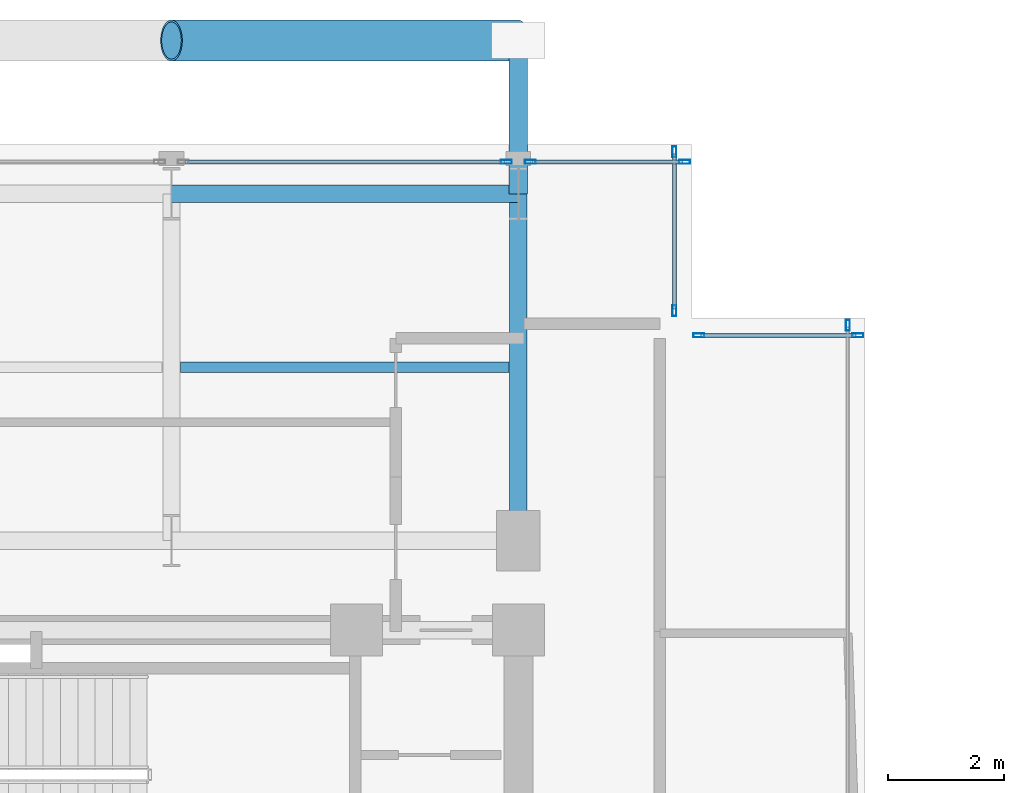
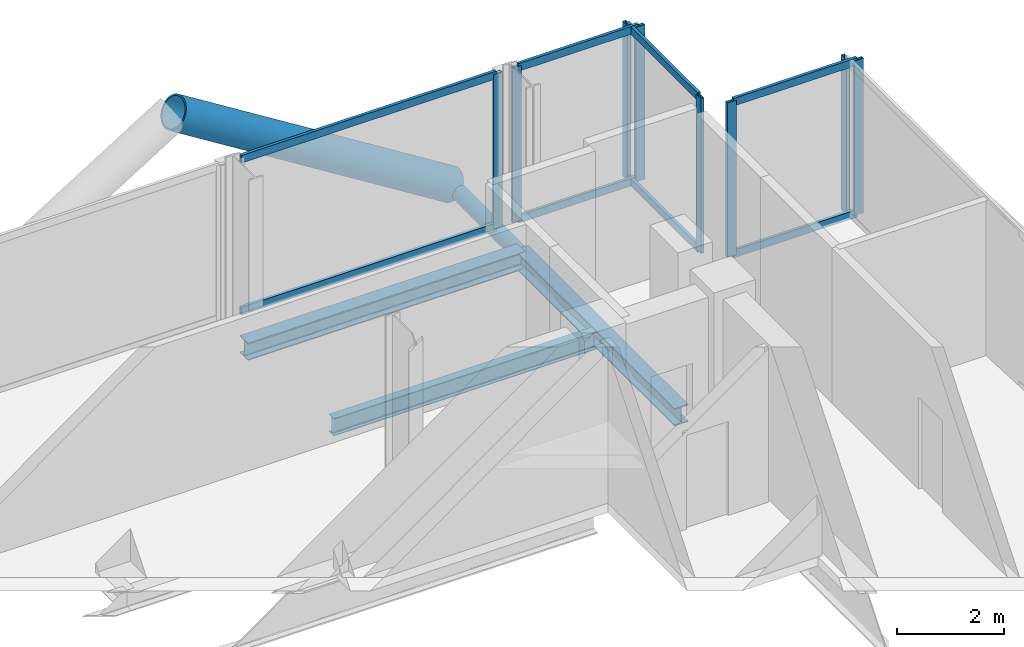
# One storey, part 14 of 21: 18 members, 3 beams, 5 elements without a shape of their own.
"""IFC4 building model written with IfcOpenShell, lengths in metres."""

from ifc_helpers import new_model, si_unit, direction, frame, origin, origin_2d, place, context, subcontext, project, spatial, hollow_rectangle, hollow_circle, i_section, extrude, material, layer, layer_set, material_profile, profile_set, type_object, element, aggregate, save


model = new_model("IFC4")

# Units and contexts
model_context = context("Model", 3, precision=1e-05, world=origin(), true_north=direction((0.0, 1.0)))
body_context = subcontext(model_context, "Body", "Model", "MODEL_VIEW")
ifc_project = project(units=[si_unit("LENGTHUNIT", "METRE"), si_unit("AREAUNIT", "SQUARE_METRE"), si_unit("VOLUMEUNIT", "CUBIC_METRE"), si_unit("PLANEANGLEUNIT", "RADIAN"), si_unit("MASSUNIT", "GRAM", prefix="KILO"), si_unit("THERMODYNAMICTEMPERATUREUNIT", "KELVIN"), si_unit("POWERUNIT", "WATT")], contexts=[model_context])

# Site, building, storey
site_placement = place(None, origin())
site = spatial("IfcSite", under=ifc_project, at=site_placement, CompositionType="ELEMENT")
building_placement = place(site_placement, origin())
building = spatial("IfcBuilding", under=site, at=building_placement, Name="Svarakhadi Broadcast Tower", CompositionType="ELEMENT")
storey_placement = place(building_placement, frame((0.0, 0.0, 219.89990234375)))
storey = spatial("IfcBuildingStorey", under=building, at=storey_placement, Name="L54", CompositionType="ELEMENT", Elevation=219.89990234375)

# Beam
ifc_material_1 = material(Name="Steel S355J2 (IS 2062 E350C)", Category="steel")
ifc_material_profile_1 = material_profile(ifc_material_1, i_section(OverallWidth=0.179931640625, OverallDepth=0.39990234375, WebThickness=0.008544921875, FlangeThickness=0.013427734375, FilletRadius=0.02099609375, at=origin_2d()), Name="NPB 400x180x66")
ifc_profile_set_1 = profile_set([ifc_material_profile_1], Name="Steel S355J2 (IS 2062 E350C)")
beam_type_1 = type_object("IfcBeamType", Name="Beam_NPB400", PredefinedType="BEAM", material=ifc_profile_set_1)
beam_placement = place(storey_placement, frame((12.159912109375, 32.14990234375, -0.409912109375), z_axis=(1.0, 0.0, 0.0), x_axis=(0.0, 1.0, 0.0)))
element("IfcBeam", 1, at=beam_placement, inside=storey, type_object=beam_type_1, Name="L54 Secondary Composite Beam SB012", PredefinedType="BEAM", context=body_context, shape_type="SweptSolid", body=[
    extrude(i_section(OverallWidth=0.179931640625, OverallDepth=0.39990234375, WebThickness=0.008544921875, FlangeThickness=0.013427734375, FilletRadius=0.02099609375, at=origin_2d()), origin(), (0.0, 0.0, 1.0), 5.68017578125),
])

# Curtain wall, member
ifc_material_2 = material(Name="Anodised Bronze Aluminium AA 6063-T6", Category="aluminium")
ifc_layer = layer(ifc_material_2, 0.18994140625)
ifc_layer_set = layer_set([ifc_layer], Name="Anodised Bronze Aluminium AA 6063-T6")
curtain_wall_type = type_object("IfcCurtainWallType", Name="CW_Sys_04", PredefinedType="NOTDEFINED", material=ifc_layer_set)
curtain_wall_1_placement = place(storey_placement, origin())
curtain_wall_1 = element("IfcCurtainWall", 2, at=curtain_wall_1_placement, inside=storey, type_object=curtain_wall_type, Name="L54 Unitised Facade Curtain Wall 06 Bay 2", PredefinedType="NOTDEFINED")
ifc_material_profile_2 = material_profile(ifc_material_2, hollow_rectangle(XDim=0.070068359375, YDim=0.18994140625, WallThickness=0.005615234375, at=origin_2d()), Name="ALU MULLION 190x70x6")
ifc_profile_set_2 = profile_set([ifc_material_profile_2], Name="Anodised Bronze Aluminium AA 6063-T6")
member_type_1 = type_object("IfcMemberType", Name="CW_Sys_04_Mul", PredefinedType="MULLION", material=ifc_profile_set_2)
member_1_placement = place(storey_placement, frame((17.794921875, 35.699951171875, 0.0), z_axis=(0.0, 0.0, 1.0), x_axis=(0.0, 1.0, 0.0)))
member_1 = element("IfcMember", 3, at=member_1_placement, type_object=member_type_1, Name="CW-04 mullion 2", PredefinedType="MULLION", context=body_context, shape_type="SweptSolid", body=[
    extrude(hollow_rectangle(XDim=0.070068359375, YDim=0.18994140625, WallThickness=0.005615234375, at=origin_2d()), origin(), (0.0, 0.0, 1.0), 3.5400390625),
])

# Curtain wall, members
curtain_wall_2_placement = place(storey_placement, origin())
curtain_wall_2 = element("IfcCurtainWall", 4, at=curtain_wall_2_placement, inside=storey, type_object=curtain_wall_type, Name="L54 Unitised Facade Curtain Wall 06 Bay 3", PredefinedType="NOTDEFINED")
member_2_placement = place(storey_placement, frame((18.205078125, 35.699951171875, 0.0), z_axis=(0.0, 0.0, 1.0), x_axis=(0.0, 1.0, 0.0)))
member_2 = element("IfcMember", 5, at=member_2_placement, type_object=member_type_1, Name="CW-04 mullion 1", PredefinedType="MULLION", context=body_context, shape_type="SweptSolid", body=[
    extrude(hollow_rectangle(XDim=0.070068359375, YDim=0.18994140625, WallThickness=0.005615234375, at=origin_2d()), origin(), (0.0, 0.0, 1.0), 3.5400390625),
])
member_3_placement = place(storey_placement, frame((20.875, 35.699951171875, 0.0), z_axis=(0.0, 0.0, 1.0), x_axis=(0.0, 1.0, 0.0)))
member_3 = element("IfcMember", 6, at=member_3_placement, type_object=member_type_1, Name="CW-04 mullion 2", PredefinedType="MULLION", context=body_context, shape_type="SweptSolid", body=[
    extrude(hollow_rectangle(XDim=0.070068359375, YDim=0.18994140625, WallThickness=0.005615234375, at=origin_2d()), origin(), (0.0, 0.0, 1.0), 3.5400390625),
])

curtain_wall_3_placement = place(storey_placement, origin())
curtain_wall_3 = element("IfcCurtainWall", 7, at=curtain_wall_3_placement, inside=storey, type_object=curtain_wall_type, Name="L54 Unitised Facade Curtain Wall 07", PredefinedType="NOTDEFINED")
member_4_placement = place(storey_placement, frame((20.699951171875, 35.875, 0.0), z_axis=(0.0, 0.0, 1.0), x_axis=(1.0, 0.0, 0.0)))
member_4 = element("IfcMember", 8, at=member_4_placement, type_object=member_type_1, Name="CW-04 mullion 1", PredefinedType="MULLION", context=body_context, shape_type="SweptSolid", body=[
    extrude(hollow_rectangle(XDim=0.070068359375, YDim=0.18994140625, WallThickness=0.005615234375, at=origin_2d()), origin(), (0.0, 0.0, 1.0), 3.5400390625),
])
member_5_placement = place(storey_placement, frame((20.699951171875, 33.125, 0.0), z_axis=(0.0, 0.0, 1.0), x_axis=(1.0, 0.0, 0.0)))
member_5 = element("IfcMember", 9, at=member_5_placement, type_object=member_type_1, Name="CW-04 mullion 2", PredefinedType="MULLION", context=body_context, shape_type="SweptSolid", body=[
    extrude(hollow_rectangle(XDim=0.070068359375, YDim=0.18994140625, WallThickness=0.005615234375, at=origin_2d()), origin(), (0.0, 0.0, 1.0), 3.5400390625),
])

curtain_wall_4_placement = place(storey_placement, origin())
curtain_wall_4 = element("IfcCurtainWall", 10, at=curtain_wall_4_placement, inside=storey, type_object=curtain_wall_type, Name="L54 Unitised Facade Curtain Wall 08", PredefinedType="NOTDEFINED")
member_6_placement = place(storey_placement, frame((21.125, 32.699951171875, 0.0), z_axis=(0.0, 0.0, 1.0), x_axis=(0.0, 1.0, 0.0)))
member_6 = element("IfcMember", 11, at=member_6_placement, type_object=member_type_1, Name="CW-04 mullion 1", PredefinedType="MULLION", context=body_context, shape_type="SweptSolid", body=[
    extrude(hollow_rectangle(XDim=0.070068359375, YDim=0.18994140625, WallThickness=0.005615234375, at=origin_2d()), origin(), (0.0, 0.0, 1.0), 3.5400390625),
])
member_7_placement = place(storey_placement, frame((23.875, 32.699951171875, 0.0), z_axis=(0.0, 0.0, 1.0), x_axis=(0.0, 1.0, 0.0)))
member_7 = element("IfcMember", 12, at=member_7_placement, type_object=member_type_1, Name="CW-04 mullion 2", PredefinedType="MULLION", context=body_context, shape_type="SweptSolid", body=[
    extrude(hollow_rectangle(XDim=0.070068359375, YDim=0.18994140625, WallThickness=0.005615234375, at=origin_2d()), origin(), (0.0, 0.0, 1.0), 3.5400390625),
])

# Curtain wall, member
curtain_wall_5_placement = place(storey_placement, origin())
curtain_wall_5 = element("IfcCurtainWall", 13, at=curtain_wall_5_placement, inside=storey, type_object=curtain_wall_type, Name="L54 Unitised Facade Curtain Wall 09", PredefinedType="NOTDEFINED")
member_8_placement = place(storey_placement, frame((23.699951171875, 32.875, 0.0), z_axis=(0.0, 0.0, 1.0), x_axis=(1.0, 0.0, 0.0)))
member_8 = element("IfcMember", 14, at=member_8_placement, type_object=member_type_1, Name="CW-04 mullion 1", PredefinedType="MULLION", context=body_context, shape_type="SweptSolid", body=[
    extrude(hollow_rectangle(XDim=0.070068359375, YDim=0.18994140625, WallThickness=0.005615234375, at=origin_2d()), origin(), (0.0, 0.0, 1.0), 3.5400390625),
])
aggregate(curtain_wall_5, [member_8])

# Member
ifc_material_profile_3 = material_profile(ifc_material_2, hollow_rectangle(XDim=0.06494140625, YDim=0.175048828125, WallThickness=0.0048828125, at=origin_2d()), Name="ALU TRANSOM 175x65x5")
ifc_profile_set_3 = profile_set([ifc_material_profile_3], Name="Anodised Bronze Aluminium AA 6063-T6")
member_type_2 = type_object("IfcMemberType", Name="CW_Sys_04_Trn", PredefinedType="USERDEFINED", material=ifc_profile_set_3)
member_9_placement = place(storey_placement, frame((12.239990234375, 35.699951171875, 0.03271484375), z_axis=(1.0, 0.0, 0.0), x_axis=(0.0, 1.0, 0.0)))
member_9 = element("IfcMember", 15, at=member_9_placement, type_object=member_type_2, Name="CW-04 transom 1.1", ObjectType="TRANSOM", PredefinedType="USERDEFINED", context=body_context, shape_type="SweptSolid", body=[
    extrude(hollow_rectangle(XDim=0.06494140625, YDim=0.175048828125, WallThickness=0.0048828125, at=origin_2d()), origin(), (0.0, 0.0, 1.0), 5.52001953125),
])

member_10_placement = place(storey_placement, frame((12.239990234375, 35.699951171875, 3.507568359375), z_axis=(1.0, 0.0, 0.0), x_axis=(0.0, 1.0, 0.0)))
member_10 = element("IfcMember", 16, at=member_10_placement, type_object=member_type_2, Name="CW-04 transom 1.2", ObjectType="TRANSOM", PredefinedType="USERDEFINED", context=body_context, shape_type="SweptSolid", body=[
    extrude(hollow_rectangle(XDim=0.06494140625, YDim=0.175048828125, WallThickness=0.0048828125, at=origin_2d()), origin(), (0.0, 0.0, 1.0), 5.52001953125),
])

aggregate(curtain_wall_1, [member_1, member_9, member_10])

member_11_placement = place(storey_placement, frame((18.239990234375, 35.699951171875, 0.03271484375), z_axis=(1.0, 0.0, 0.0), x_axis=(0.0, 1.0, 0.0)))
member_11 = element("IfcMember", 17, at=member_11_placement, type_object=member_type_2, Name="CW-04 transom 1.1", ObjectType="TRANSOM", PredefinedType="USERDEFINED", context=body_context, shape_type="SweptSolid", body=[
    extrude(hollow_rectangle(XDim=0.06494140625, YDim=0.175048828125, WallThickness=0.0048828125, at=origin_2d()), origin(), (0.0, 0.0, 1.0), 2.60009765625),
])

member_12_placement = place(storey_placement, frame((18.239990234375, 35.699951171875, 3.507568359375), z_axis=(1.0, 0.0, 0.0), x_axis=(0.0, 1.0, 0.0)))
member_12 = element("IfcMember", 18, at=member_12_placement, type_object=member_type_2, Name="CW-04 transom 1.2", ObjectType="TRANSOM", PredefinedType="USERDEFINED", context=body_context, shape_type="SweptSolid", body=[
    extrude(hollow_rectangle(XDim=0.06494140625, YDim=0.175048828125, WallThickness=0.0048828125, at=origin_2d()), origin(), (0.0, 0.0, 1.0), 2.60009765625),
])

aggregate(curtain_wall_2, [member_2, member_3, member_11, member_12])

member_13_placement = place(storey_placement, frame((20.699951171875, 35.840087890625, 0.03271484375), z_axis=(0.0, -1.0, 0.0), x_axis=(1.0, 0.0, 0.0)))
member_13 = element("IfcMember", 19, at=member_13_placement, type_object=member_type_2, Name="CW-04 transom 1.1", ObjectType="TRANSOM", PredefinedType="USERDEFINED", context=body_context, shape_type="SweptSolid", body=[
    extrude(hollow_rectangle(XDim=0.06494140625, YDim=0.175048828125, WallThickness=0.0048828125, at=origin_2d()), origin(), (0.0, 0.0, 1.0), 2.68017578125),
])

member_14_placement = place(storey_placement, frame((20.699951171875, 35.840087890625, 3.507568359375), z_axis=(0.0, -1.0, 0.0), x_axis=(1.0, 0.0, 0.0)))
member_14 = element("IfcMember", 20, at=member_14_placement, type_object=member_type_2, Name="CW-04 transom 1.2", ObjectType="TRANSOM", PredefinedType="USERDEFINED", context=body_context, shape_type="SweptSolid", body=[
    extrude(hollow_rectangle(XDim=0.06494140625, YDim=0.175048828125, WallThickness=0.0048828125, at=origin_2d()), origin(), (0.0, 0.0, 1.0), 2.68017578125),
])

aggregate(curtain_wall_3, [member_4, member_5, member_13, member_14])

member_15_placement = place(storey_placement, frame((21.159912109375, 32.699951171875, 0.03271484375), z_axis=(1.0, 0.0, 0.0), x_axis=(0.0, 1.0, 0.0)))
member_15 = element("IfcMember", 21, at=member_15_placement, type_object=member_type_2, Name="CW-04 transom 1.1", ObjectType="TRANSOM", PredefinedType="USERDEFINED", context=body_context, shape_type="SweptSolid", body=[
    extrude(hollow_rectangle(XDim=0.06494140625, YDim=0.175048828125, WallThickness=0.0048828125, at=origin_2d()), origin(), (0.0, 0.0, 1.0), 2.68017578125),
])

member_16_placement = place(storey_placement, frame((21.159912109375, 32.699951171875, 3.507568359375), z_axis=(1.0, 0.0, 0.0), x_axis=(0.0, 1.0, 0.0)))
member_16 = element("IfcMember", 22, at=member_16_placement, type_object=member_type_2, Name="CW-04 transom 1.2", ObjectType="TRANSOM", PredefinedType="USERDEFINED", context=body_context, shape_type="SweptSolid", body=[
    extrude(hollow_rectangle(XDim=0.06494140625, YDim=0.175048828125, WallThickness=0.0048828125, at=origin_2d()), origin(), (0.0, 0.0, 1.0), 2.68017578125),
])

aggregate(curtain_wall_4, [member_6, member_7, member_15, member_16])

# Members
ifc_material_3 = material(Name="Steel S460ML (IS 2062 E450BR)", Category="steel")
ifc_material_profile_4 = material_profile(ifc_material_3, hollow_circle(Radius=0.35546875, WallThickness=0.034912109375, at=origin_2d()), Name="CHS 711x35")
ifc_profile_set_4 = profile_set([ifc_material_profile_4], Name="Steel S460ML (IS 2062 E450BR)")
member_type_3 = type_object("IfcMemberType", Name="Exo_Brace_CHS711", PredefinedType="BRACE", material=ifc_profile_set_4)
member_17_placement = place(storey_placement, frame((18.0, 37.800048828125, -0.371826171875), z_axis=(-0.847998304005, 0.0, 0.529998940003), x_axis=(0.0, -1.0, 0.0)))
element("IfcMember", 23, at=member_17_placement, inside=storey, type_object=member_type_3, Name="L54 Exposed Bronze Exoskeleton Diagonal N07", PredefinedType="BRACE", context=body_context, shape_type="SweptSolid", body=[
    extrude(hollow_circle(Radius=0.35546875, WallThickness=0.034912109375, at=origin_2d()), origin(), (0.0, 0.0, 1.0), 7.075439453125),
])
ifc_material_profile_5 = material_profile(ifc_material_3, hollow_circle(Radius=0.161865234375, WallThickness=0.01611328125, at=origin_2d()), Name="CHS 323.9x16")
ifc_profile_set_5 = profile_set([ifc_material_profile_5], Name="Steel S460ML (IS 2062 E450BR)")
member_type_4 = type_object("IfcMemberType", Name="Exo_Radial_Strut_Z2", PredefinedType="STRUT", material=ifc_profile_set_5)
member_18_placement = place(storey_placement, frame((18.0, 37.800048828125, -0.371826171875), z_axis=(0.0, -1.0, 0.0), x_axis=(1.0, 0.0, 0.0)))
element("IfcMember", 24, at=member_18_placement, inside=storey, type_object=member_type_4, Name="L54 Exoskeleton Radial Tie Strut N10", PredefinedType="STRUT", context=body_context, shape_type="SweptSolid", body=[
    extrude(hollow_circle(Radius=0.161865234375, WallThickness=0.01611328125, at=origin_2d()), origin(), (0.0, 0.0, 1.0), 2.650146484375),
])

# Beams
ifc_material_profile_6 = material_profile(ifc_material_1, i_section(OverallWidth=0.300048828125, OverallDepth=0.39990234375, WebThickness=0.013427734375, FlangeThickness=0.02392578125, FilletRadius=0.027099609375, at=origin_2d()), Name="WPB 400x300x155")
ifc_profile_set_6 = profile_set([ifc_material_profile_6], Name="Steel S355J2 (IS 2062 E350C)")
beam_type_2 = type_object("IfcBeamType", Name="Girder_WPB400", PredefinedType="USERDEFINED", material=ifc_profile_set_6)
for number, where, z_axis, x_axis, name in (
    (25, (12.0, 35.14990234375, -0.409912109375), (1.0, 0.0, 0.0), (0.0, 1.0, 0.0), "L54 Primary E-W Girder G032"),
    (26, (18.0, 29.14990234375, -0.409912109375), (0.0, 1.0, 0.0), (-1.0, 0.0, 0.0), "L54 Primary N-S Girder G050"),
):
    element("IfcBeam", number, at=place(storey_placement, frame(where, z_axis=z_axis, x_axis=x_axis)), inside=storey, type_object=beam_type_2, Name=name, ObjectType="GIRDER", PredefinedType="USERDEFINED", context=body_context, shape_type="SweptSolid", body=[
        extrude(i_section(OverallWidth=0.300048828125, OverallDepth=0.39990234375, WebThickness=0.013427734375, FlangeThickness=0.02392578125, FilletRadius=0.027099609375, at=origin_2d()), origin(), (0.0, 0.0, 1.0), 6.0),
    ])

save(model, "model.ifc")
